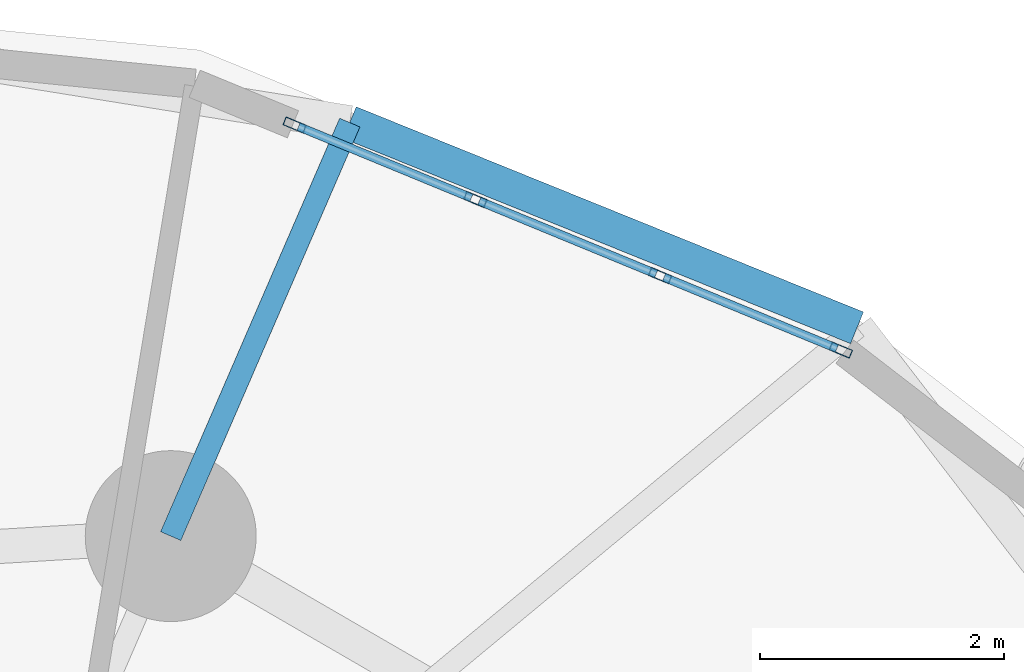
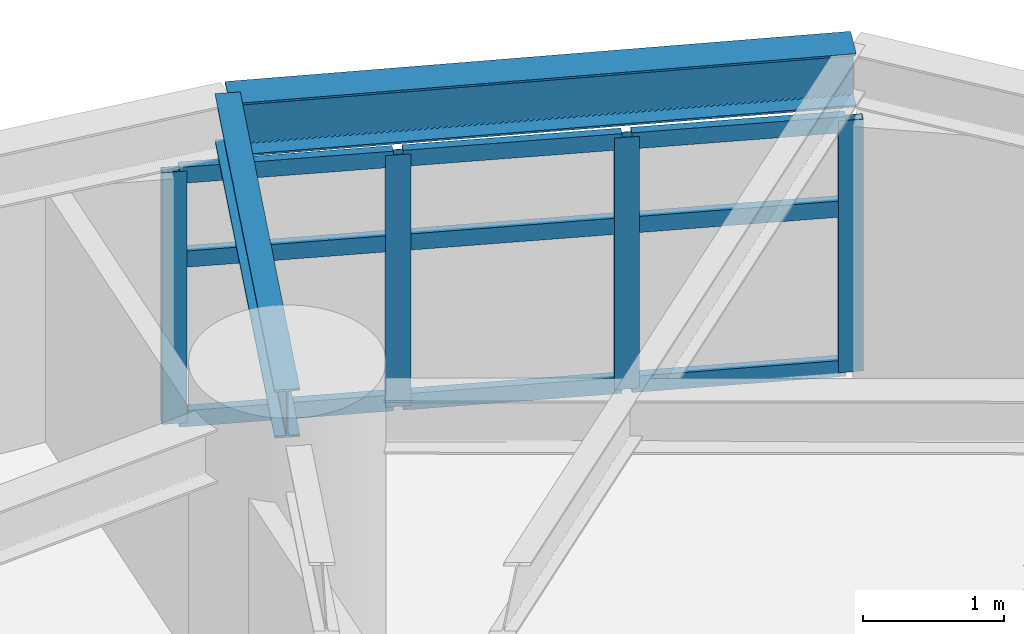
# One storey, part 6 of 17: 13 members, 2 beams, 1 element without a shape of its own.
"""IFC4 building model written with IfcOpenShell, lengths in metres."""

from ifc_helpers import new_model, si_unit, direction, frame, origin, origin_2d, place, context, subcontext, project, spatial, hollow_rectangle, i_section, extrude, material, layer, layer_set, material_profile, profile_set, type_object, element, aggregate, save


model = new_model("IFC4")

# Units and contexts
model_context = context("Model", 3, precision=1e-05, world=origin(), true_north=direction((0.0, 1.0)))
body_context = subcontext(model_context, "Body", "Model", "MODEL_VIEW")
ifc_project = project(units=[si_unit("LENGTHUNIT", "METRE"), si_unit("AREAUNIT", "SQUARE_METRE"), si_unit("VOLUMEUNIT", "CUBIC_METRE"), si_unit("PLANEANGLEUNIT", "RADIAN"), si_unit("MASSUNIT", "GRAM", prefix="KILO")], contexts=[model_context])

# Site, building, storey
site_placement = place(None, origin())
site = spatial("IfcSite", under=ifc_project, at=site_placement, CompositionType="ELEMENT")
building_placement = place(site_placement, origin())
building = spatial("IfcBuilding", under=site, at=building_placement, Name="Cununo Teusaquillo Station Towers", CompositionType="ELEMENT")
storey_placement = place(building_placement, frame((0.0, 0.0, 78.8798828125)))
storey = spatial("IfcBuildingStorey", under=building, at=storey_placement, Name="L24", CompositionType="ELEMENT", Elevation=78.8798828125)

# Beams
ifc_material_1 = material(Name="Steel ASTM A572 Grade 50", Category="steel")
ifc_material_profile_1 = material_profile(ifc_material_1, i_section(OverallWidth=0.180908203125, OverallDepth=0.4169921875, WebThickness=0.010986328125, FlangeThickness=0.018310546875, FilletRadius=0.012939453125, at=origin_2d()), Name="W16X57")
ifc_profile_set_1 = profile_set([ifc_material_profile_1], Name="Steel ASTM A572 Grade 50")
beam_type_1 = type_object("IfcBeamType", Name="BM-RAD-G2", PredefinedType="BEAM", material=ifc_profile_set_1)
beam_1_placement = place(storey_placement, frame((58.291015625, 37.63525390625, 2.461669921875), z_axis=(0.397421761279, 0.917636062751, 0.0), x_axis=(-0.917636062751, 0.397421761279, 0.0)))
element("IfcBeam", 1, at=beam_1_placement, inside=storey, type_object=beam_type_1, Name="L24 Tower B Perimeter Overhang Girder 02B", PredefinedType="BEAM", context=body_context, shape_type="SweptSolid", body=[
    extrude(i_section(OverallWidth=0.180908203125, OverallDepth=0.4169921875, WebThickness=0.010986328125, FlangeThickness=0.018310546875, FilletRadius=0.012939453125, at=origin_2d()), origin(), (0.0, 0.0, 1.0), 3.690185546875),
])
ifc_material_2 = material(Name="Steel ASTM A572 Grade 50", Category="steel")
ifc_material_profile_2 = material_profile(ifc_material_2, i_section(OverallWidth=0.280029296875, OverallDepth=0.462890625, WebThickness=0.0107421875, FlangeThickness=0.017333984375, FilletRadius=0.013916015625, at=origin_2d()), Name="W18X76")
ifc_profile_set_2 = profile_set([ifc_material_profile_2], Name="Steel ASTM A572 Grade 50")
beam_type_2 = type_object("IfcBeamType", Name="BM-RING-Z2", PredefinedType="SPANDREL", material=ifc_profile_set_2)
beam_2_placement = place(storey_placement, frame((63.9111328125, 39.341064453125, 2.438720703125), z_axis=(-0.927007712072, 0.375042266631, 0.0), x_axis=(-0.375042266631, -0.927007712072, 0.0)))
element("IfcBeam", 2, at=beam_2_placement, inside=storey, type_object=beam_type_2, Name="L24 Tower B Spandrel Ring Beam 02", PredefinedType="SPANDREL", context=body_context, shape_type="SweptSolid", body=[
    extrude(i_section(OverallWidth=0.280029296875, OverallDepth=0.462890625, WebThickness=0.0107421875, FlangeThickness=0.017333984375, FilletRadius=0.013916015625, at=origin_2d()), origin(), (0.0, 0.0, 1.0), 4.480712890625),
])

# Curtain wall, members
ifc_material_3 = material(Name="Ceramic-fritted dark low-E double glazing", Category="glass")
ifc_layer = layer(ifc_material_3, 0.179931640625)
ifc_layer_set = layer_set([ifc_layer], Name="Ceramic-fritted dark low-E double glazing")
curtain_wall_type = type_object("IfcCurtainWallType", Name="CW-SYS-04", PredefinedType="USERDEFINED", material=ifc_layer_set)
curtain_wall_placement = place(storey_placement, origin())
curtain_wall = element("IfcCurtainWall", 3, at=curtain_wall_placement, inside=storey, type_object=curtain_wall_type, Name="L24 Tower B Facade Curtain Wall C01", ObjectType="FRITTED GLAZING", PredefinedType="USERDEFINED")
ifc_material_4 = material(Name="Anodised dark bronze aluminium EN AW-6063-T6", Category="aluminium")
ifc_material_profile_3 = material_profile(ifc_material_4, hollow_rectangle(XDim=0.070068359375, YDim=0.179931640625, WallThickness=0.00390625, at=origin_2d()), Name="CW-MULL-70x180")
ifc_profile_set_3 = profile_set([ifc_material_profile_3], Name="Anodised dark bronze aluminium EN AW-6063-T6")
member_type_1 = type_object("IfcMemberType", Name="CWM-180", PredefinedType="MULLION", material=ifc_profile_set_3)
member_1_placement = place(storey_placement, frame((59.3056640625, 41.001953125, 0.0), z_axis=(0.0, 0.0, 1.0), x_axis=(0.381030560176, 0.924562443652, 0.0)))
member_1 = element("IfcMember", 4, at=member_1_placement, type_object=member_type_1, Name="CW-04 mullion 1", PredefinedType="MULLION", context=body_context, shape_type="SweptSolid", body=[
    extrude(hollow_rectangle(XDim=0.070068359375, YDim=0.179931640625, WallThickness=0.00390625, at=origin_2d()), origin(), (0.0, 0.0, 1.0), 2.17919921875),
])
member_2_placement = place(storey_placement, frame((60.785888671875, 40.39208984375, 0.0), z_axis=(0.0, 0.0, 1.0), x_axis=(0.381030560176, 0.924562443652, 0.0)))
member_2 = element("IfcMember", 5, at=member_2_placement, type_object=member_type_1, Name="CW-04 mullion 2", PredefinedType="MULLION", context=body_context, shape_type="SweptSolid", body=[
    extrude(hollow_rectangle(XDim=0.070068359375, YDim=0.179931640625, WallThickness=0.00390625, at=origin_2d()), origin(), (0.0, 0.0, 1.0), 2.17919921875),
])
member_3_placement = place(storey_placement, frame((62.298583984375, 39.7685546875, 0.0), z_axis=(0.0, 0.0, 1.0), x_axis=(0.381030560176, 0.924562443652, 0.0)))
member_3 = element("IfcMember", 6, at=member_3_placement, type_object=member_type_1, Name="CW-04 mullion 3", PredefinedType="MULLION", context=body_context, shape_type="SweptSolid", body=[
    extrude(hollow_rectangle(XDim=0.070068359375, YDim=0.179931640625, WallThickness=0.00390625, at=origin_2d()), origin(), (0.0, 0.0, 1.0), 2.17919921875),
])
member_4_placement = place(storey_placement, frame((63.77880859375, 39.158447265625, 0.0), z_axis=(0.0, 0.0, 1.0), x_axis=(0.381030560176, 0.924562443652, 0.0)))
member_4 = element("IfcMember", 7, at=member_4_placement, type_object=member_type_1, Name="CW-04 mullion 4", PredefinedType="MULLION", context=body_context, shape_type="SweptSolid", body=[
    extrude(hollow_rectangle(XDim=0.070068359375, YDim=0.179931640625, WallThickness=0.00390625, at=origin_2d()), origin(), (0.0, 0.0, 1.0), 2.17919921875),
])
ifc_material_5 = material(Name="Anodised dark bronze aluminium EN AW-6063-T6", Category="aluminium")
ifc_material_profile_4 = material_profile(ifc_material_5, hollow_rectangle(XDim=0.070068359375, YDim=0.139892578125, WallThickness=0.00390625, at=origin_2d()), Name="CW-TRAN-70x140")
ifc_profile_set_4 = profile_set([ifc_material_profile_4], Name="Anodised dark bronze aluminium EN AW-6063-T6")
member_type_2 = type_object("IfcMemberType", Name="CWT-140", PredefinedType="USERDEFINED", material=ifc_profile_set_4)
member_5_placement = place(storey_placement, frame((59.337890625, 40.98876953125, 0.03515625), z_axis=(0.924532726965, -0.381102659097, 0.0), x_axis=(0.381102659097, 0.924532726965, 0.0)))
member_5 = element("IfcMember", 8, at=member_5_placement, type_object=member_type_2, Name="CW-04 transom 1.1", ObjectType="TRANSOM", PredefinedType="USERDEFINED", context=body_context, shape_type="SweptSolid", body=[
    extrude(hollow_rectangle(XDim=0.070068359375, YDim=0.139892578125, WallThickness=0.00390625, at=origin_2d()), origin(), (0.0, 0.0, 1.0), 1.531005859375),
])
member_6_placement = place(storey_placement, frame((59.337890625, 40.98876953125, 1.416015625), z_axis=(0.924532726965, -0.381102659097, 0.0), x_axis=(0.381102659097, 0.924532726965, 0.0)))
member_6 = element("IfcMember", 9, at=member_6_placement, type_object=member_type_2, Name="CW-04 transom 1.2", ObjectType="TRANSOM", PredefinedType="USERDEFINED", context=body_context, shape_type="SweptSolid", body=[
    extrude(hollow_rectangle(XDim=0.070068359375, YDim=0.139892578125, WallThickness=0.00390625, at=origin_2d()), origin(), (0.0, 0.0, 1.0), 1.531005859375),
])
member_7_placement = place(storey_placement, frame((59.337890625, 40.98876953125, 2.14404296875), z_axis=(0.924532726965, -0.381102659097, 0.0), x_axis=(0.381102659097, 0.924532726965, 0.0)))
member_7 = element("IfcMember", 10, at=member_7_placement, type_object=member_type_2, Name="CW-04 transom 1.3", ObjectType="TRANSOM", PredefinedType="USERDEFINED", context=body_context, shape_type="SweptSolid", body=[
    extrude(hollow_rectangle(XDim=0.070068359375, YDim=0.139892578125, WallThickness=0.00390625, at=origin_2d()), origin(), (0.0, 0.0, 1.0), 1.531005859375),
])
member_8_placement = place(storey_placement, frame((60.818115234375, 40.378662109375, 0.03515625), z_axis=(0.924577983912, -0.380992849887, 0.0), x_axis=(0.380992849887, 0.924577983912, 0.0)))
member_8 = element("IfcMember", 11, at=member_8_placement, type_object=member_type_2, Name="CW-04 transom 2.1", ObjectType="TRANSOM", PredefinedType="USERDEFINED", context=body_context, shape_type="SweptSolid", body=[
    extrude(hollow_rectangle(XDim=0.070068359375, YDim=0.139892578125, WallThickness=0.00390625, at=origin_2d()), origin(), (0.0, 0.0, 1.0), 1.566162109375),
])
member_9_placement = place(storey_placement, frame((60.818115234375, 40.378662109375, 1.416015625), z_axis=(0.924577983912, -0.380992849887, 0.0), x_axis=(0.380992849887, 0.924577983912, 0.0)))
member_9 = element("IfcMember", 12, at=member_9_placement, type_object=member_type_2, Name="CW-04 transom 2.2", ObjectType="TRANSOM", PredefinedType="USERDEFINED", context=body_context, shape_type="SweptSolid", body=[
    extrude(hollow_rectangle(XDim=0.070068359375, YDim=0.139892578125, WallThickness=0.00390625, at=origin_2d()), origin(), (0.0, 0.0, 1.0), 1.566162109375),
])
member_10_placement = place(storey_placement, frame((60.818115234375, 40.378662109375, 2.14404296875), z_axis=(0.924577983912, -0.380992849887, 0.0), x_axis=(0.380992849887, 0.924577983912, 0.0)))
member_10 = element("IfcMember", 13, at=member_10_placement, type_object=member_type_2, Name="CW-04 transom 2.3", ObjectType="TRANSOM", PredefinedType="USERDEFINED", context=body_context, shape_type="SweptSolid", body=[
    extrude(hollow_rectangle(XDim=0.070068359375, YDim=0.139892578125, WallThickness=0.00390625, at=origin_2d()), origin(), (0.0, 0.0, 1.0), 1.566162109375),
])
member_11_placement = place(storey_placement, frame((62.330810546875, 39.75537109375, 0.03515625), z_axis=(0.924555881283, -0.381046483233, 0.0), x_axis=(0.381046483233, 0.924555881283, 0.0)))
member_11 = element("IfcMember", 14, at=member_11_placement, type_object=member_type_2, Name="CW-04 transom 3.1", ObjectType="TRANSOM", PredefinedType="USERDEFINED", context=body_context, shape_type="SweptSolid", body=[
    extrude(hollow_rectangle(XDim=0.070068359375, YDim=0.139892578125, WallThickness=0.00390625, at=origin_2d()), origin(), (0.0, 0.0, 1.0), 1.53125),
])
member_12_placement = place(storey_placement, frame((62.330810546875, 39.75537109375, 1.416015625), z_axis=(0.924555881283, -0.381046483233, 0.0), x_axis=(0.381046483233, 0.924555881283, 0.0)))
member_12 = element("IfcMember", 15, at=member_12_placement, type_object=member_type_2, Name="CW-04 transom 3.2", ObjectType="TRANSOM", PredefinedType="USERDEFINED", context=body_context, shape_type="SweptSolid", body=[
    extrude(hollow_rectangle(XDim=0.070068359375, YDim=0.139892578125, WallThickness=0.00390625, at=origin_2d()), origin(), (0.0, 0.0, 1.0), 1.53125),
])
member_13_placement = place(storey_placement, frame((62.330810546875, 39.75537109375, 2.14404296875), z_axis=(0.924555881283, -0.381046483233, 0.0), x_axis=(0.381046483233, 0.924555881283, 0.0)))
member_13 = element("IfcMember", 16, at=member_13_placement, type_object=member_type_2, Name="CW-04 transom 3.3", ObjectType="TRANSOM", PredefinedType="USERDEFINED", context=body_context, shape_type="SweptSolid", body=[
    extrude(hollow_rectangle(XDim=0.070068359375, YDim=0.139892578125, WallThickness=0.00390625, at=origin_2d()), origin(), (0.0, 0.0, 1.0), 1.53125),
])
aggregate(curtain_wall, [member_1, member_2, member_3, member_4, member_5, member_6, member_7, member_8, member_9, member_10, member_11, member_12, member_13])

save(model, "model.ifc")
